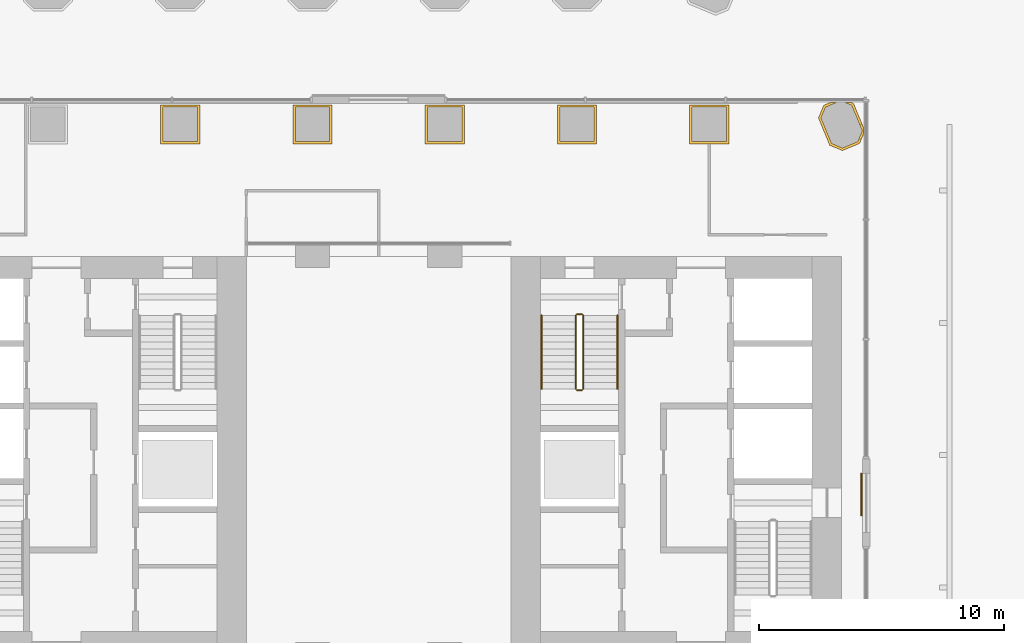
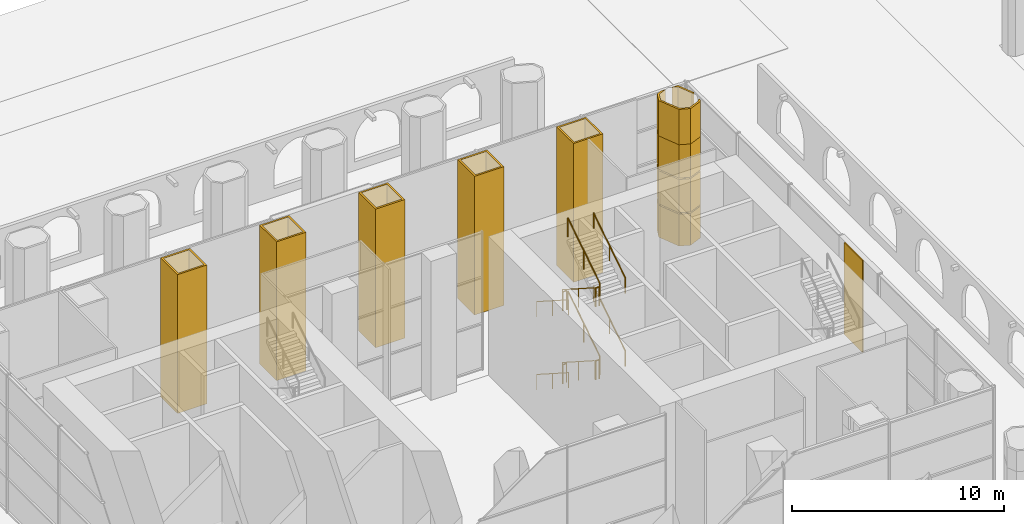
# One storey, part 44 of 54: 12 railings, 11 coverings.
"""IFC4 building model written with IfcOpenShell, lengths in metres."""

from ifc_helpers import new_model, si_unit, direction, frame, frame_2d, origin, origin_2d, place, context, subcontext, project, spatial, polyline, rectangle, circle, outline, extrude, material, layer, layer_set, type_object, element, save


model = new_model("IFC4")

# Units and contexts
model_context = context("Model", 3, precision=1e-05, world=origin(), true_north=direction((0.0, 1.0)))
body_context = subcontext(model_context, "Body", "Model", "MODEL_VIEW")
ifc_project = project(units=[si_unit("LENGTHUNIT", "METRE"), si_unit("AREAUNIT", "SQUARE_METRE"), si_unit("VOLUMEUNIT", "CUBIC_METRE"), si_unit("PLANEANGLEUNIT", "RADIAN"), si_unit("MASSUNIT", "GRAM", prefix="KILO")], contexts=[model_context])

# Site, building, storey
site_placement = place(None, origin())
site = spatial("IfcSite", under=ifc_project, at=site_placement, CompositionType="ELEMENT")
building_placement = place(site_placement, origin())
building = spatial("IfcBuilding", under=site, at=building_placement, Name="Tabaq Tower and Sports Hall", CompositionType="ELEMENT")
storey_placement = place(building_placement, origin())
storey = spatial("IfcBuildingStorey", under=building, at=storey_placement, Name="L00", CompositionType="ELEMENT", Elevation=0.0)

# Coverings
ifc_material_1 = material(Name="Precast concrete C60/75", Category="concrete")
ifc_layer_1 = layer(ifc_material_1, 0.10009765625)
ifc_layer_set_1 = layer_set([ifc_layer_1], Name="Column cladding 100")
covering_type_1 = type_object("IfcCoveringType", Name="Column cladding 100", PredefinedType="CLADDING", material=ifc_layer_set_1)
covering_1_placement = place(storey_placement, origin())
element("IfcCovering", 1, at=covering_1_placement, inside=storey, type_object=covering_type_1, Name="Column cladding L00 CC-4H-G", PredefinedType="CLADDING", context=body_context, shape_type="SweptSolid", body=[
    extrude(outline(polyline([(15.400390625, 38.599609375), (16.999755859375, 38.599609375), (16.999755859375, 37.000244140625), (15.400390625, 37.000244140625), (15.400390625, 38.599609375)]), holes=[polyline([(16.900390625, 37.099609375), (16.900390625, 38.500244140625), (15.499755859375, 38.500244140625), (15.499755859375, 37.099609375), (16.900390625, 37.099609375)])]), origin(), (0.0, 0.0, 1.0), 8.0),
])
covering_2_placement = place(storey_placement, origin())
element("IfcCovering", 2, at=covering_2_placement, inside=storey, type_object=covering_type_1, Name="Column cladding L00 CC-5H-G", PredefinedType="CLADDING", context=body_context, shape_type="SweptSolid", body=[
    extrude(outline(polyline([(20.80029296875, 38.599609375), (22.399658203125, 38.599609375), (22.399658203125, 37.000244140625), (20.80029296875, 37.000244140625), (20.80029296875, 38.599609375)]), holes=[polyline([(22.30029296875, 37.099609375), (22.30029296875, 38.500244140625), (20.899658203125, 38.500244140625), (20.899658203125, 37.099609375), (22.30029296875, 37.099609375)])]), origin(), (0.0, 0.0, 1.0), 8.0),
])
covering_3_placement = place(storey_placement, origin())
element("IfcCovering", 3, at=covering_3_placement, inside=storey, type_object=covering_type_1, Name="Column cladding L00 CC-6H-G", PredefinedType="CLADDING", context=body_context, shape_type="SweptSolid", body=[
    extrude(outline(polyline([(26.2001953125, 38.599609375), (27.7998046875, 38.599609375), (27.7998046875, 37.000244140625), (26.2001953125, 37.000244140625), (26.2001953125, 38.599609375)]), holes=[polyline([(27.7001953125, 37.099609375), (27.7001953125, 38.500244140625), (26.2998046875, 38.500244140625), (26.2998046875, 37.099609375), (27.7001953125, 37.099609375)])]), origin(), (0.0, 0.0, 1.0), 8.0),
])
covering_4_placement = place(storey_placement, origin())
element("IfcCovering", 4, at=covering_4_placement, inside=storey, type_object=covering_type_1, Name="Column cladding L00 CC-7H-G", PredefinedType="CLADDING", context=body_context, shape_type="SweptSolid", body=[
    extrude(outline(polyline([(31.600341796875, 38.599609375), (33.19970703125, 38.599609375), (33.19970703125, 37.000244140625), (31.600341796875, 37.000244140625), (31.600341796875, 38.599609375)]), holes=[polyline([(33.100341796875, 37.099609375), (33.100341796875, 38.500244140625), (31.69970703125, 38.500244140625), (31.69970703125, 37.099609375), (33.100341796875, 37.099609375)])]), origin(), (0.0, 0.0, 1.0), 8.0),
])
covering_5_placement = place(storey_placement, origin())
element("IfcCovering", 5, at=covering_5_placement, inside=storey, type_object=covering_type_1, Name="Column cladding L00 CC-8H-G", PredefinedType="CLADDING", context=body_context, shape_type="SweptSolid", body=[
    extrude(outline(polyline([(37.000244140625, 38.599609375), (38.599609375, 38.599609375), (38.599609375, 37.000244140625), (37.000244140625, 37.000244140625), (37.000244140625, 38.599609375)]), holes=[polyline([(38.500244140625, 37.099609375), (38.500244140625, 38.500244140625), (37.099609375, 38.500244140625), (37.099609375, 37.099609375), (38.500244140625, 37.099609375)])]), origin(), (0.0, 0.0, 1.0), 8.0),
])
covering_6_placement = place(storey_placement, frame((0.0, 0.0, 0.1201171875)))
element("IfcCovering", 6, at=covering_6_placement, inside=storey, type_object=covering_type_1, Name="Column cladding L00 PC-9H-G", PredefinedType="CLADDING", context=body_context, shape_type="SweptSolid", body=[
    extrude(outline(polyline([(43.232666015625, 36.7314453125), (42.71533203125, 36.94580078125), (42.253173828125, 38.061279296875), (42.467529296875, 38.57861328125), (42.735595703125, 38.689697265625), (42.995361328125, 38.689697265625), (42.54345703125, 38.502685546875), (42.36083984375, 38.061279296875), (42.79150390625, 37.021728515625), (43.232666015625, 36.839111328125), (43.8564453125, 37.097412109375), (44.039306640625, 37.53857421875), (43.608642578125, 38.578125), (43.339599609375, 38.689697265625), (43.59912109375, 38.689697265625), (43.6845703125, 38.654296875), (44.089599609375, 37.676513671875), (44.089599609375, 37.40087890625), (43.9326171875, 37.021240234375), (43.232666015625, 36.7314453125)])), origin(), (0.0, 0.0, 1.0), 1.83984375),
])
for number, where, name in (
    (7, (0.0, 0.0, 2.0400390625), "Column cladding L00 PC-9H-G 2"),
    (8, (0.0, 0.0, 4.0400390625), "Column cladding L00 PC-9H-G 3"),
):
    element("IfcCovering", number, at=place(storey_placement, frame(where)), inside=storey, type_object=covering_type_1, Name=name, PredefinedType="CLADDING", context=body_context, shape_type="SweptSolid", body=[
        extrude(outline(polyline([(43.232666015625, 36.7314453125), (42.71533203125, 36.94580078125), (42.253173828125, 38.061279296875), (42.467529296875, 38.57861328125), (42.735595703125, 38.689697265625), (42.995361328125, 38.689697265625), (42.54345703125, 38.502685546875), (42.36083984375, 38.061279296875), (42.79150390625, 37.021728515625), (43.232666015625, 36.839111328125), (43.8564453125, 37.097412109375), (44.039306640625, 37.53857421875), (43.608642578125, 38.578125), (43.339599609375, 38.689697265625), (43.59912109375, 38.689697265625), (43.6845703125, 38.654296875), (44.089599609375, 37.676513671875), (44.089599609375, 37.40087890625), (43.9326171875, 37.021240234375), (43.232666015625, 36.7314453125)])), origin(), (0.0, 0.0, 1.0), 1.919921875),
    ])
covering_7_placement = place(storey_placement, frame((0.0, 0.0, 5.9599609375)))
element("IfcCovering", 9, at=covering_7_placement, inside=storey, type_object=covering_type_1, Name="Column cladding L00 PC-9H-G head", PredefinedType="CLADDING", context=body_context, shape_type="SweptSolid", body=[
    extrude(outline(polyline([(42.71533203125, 36.94580078125), (42.253173828125, 38.061279296875), (42.467529296875, 38.57861328125), (42.735595703125, 38.689697265625), (42.995361328125, 38.689697265625), (42.54345703125, 38.502685546875), (42.36083984375, 38.061279296875), (42.79150390625, 37.021728515625), (43.232666015625, 36.839111328125), (43.8564453125, 37.097412109375), (43.89892578125, 37.19970703125), (44.00634765625, 37.19970703125), (43.9326171875, 37.021240234375), (43.232666015625, 36.7314453125), (42.71533203125, 36.94580078125)])), origin(), (0.0, 0.0, 1.0), 2.0400390625),
])
covering_8_placement = place(storey_placement, frame((0.0, 0.0, 5.9599609375)))
element("IfcCovering", 10, at=covering_8_placement, inside=storey, type_object=covering_type_1, Name="Column cladding L00 PC-9H-G head 2", PredefinedType="CLADDING", context=body_context, shape_type="SweptSolid", body=[
    extrude(outline(polyline([(43.608642578125, 38.578125), (43.339599609375, 38.689697265625), (43.59912109375, 38.689697265625), (43.6845703125, 38.654296875), (44.038330078125, 37.80029296875), (43.930908203125, 37.80029296875), (43.608642578125, 38.578125)])), origin(), (0.0, 0.0, 1.0), 2.0400390625),
])

# Railings
ifc_material_2 = material(Name="Stainless steel", Category="steel")
railing_type_1 = type_object("IfcRailingType", Name="Stair guard", PredefinedType="GUARDRAIL", material=ifc_material_2)
railing_1_placement = place(storey_placement, frame((32.35009765625, 30.0, 0.175048828125)))
element("IfcRailing", 11, at=railing_1_placement, inside=storey, type_object=railing_type_1, Name="L00 ST4 stair guard 1", PredefinedType="GUARDRAIL", context=body_context, shape_type="SweptSolid", body=[
    extrude(circle(Radius=0.02392578125, at=origin_2d()), frame((0.0, 0.0, 1.076171875), z_axis=(0.0, -0.841627708785, 0.540058144838), x_axis=(1.0, 0.0, 0.0)), (0.0, 0.0, 1.0), 3.564453125),
    extrude(circle(Radius=0.02099609375, at=origin_2d()), origin(), (0.0, 0.0, 1.0), 1.052001953125),
    extrude(circle(Radius=0.02099609375, at=origin_2d()), frame((0.0, -1.5, 0.96240234375)), (0.0, 0.0, 1.0), 1.052001953125),
    extrude(circle(Radius=0.02099609375, at=origin_2d()), frame((0.0, -3.0, 1.925048828125)), (0.0, 0.0, 1.0), 1.052001953125),
])
railing_2_placement = place(storey_placement, frame((32.39990234375, 26.949951171875, 2.10009765625)))
element("IfcRailing", 12, at=railing_2_placement, inside=storey, type_object=railing_type_1, Name="L00 ST4 stair guard 2", PredefinedType="GUARDRAIL", context=body_context, shape_type="SweptSolid", body=[
    extrude(circle(Radius=0.02392578125, at=origin_2d()), frame((0.0, 0.0, 1.076171875), z_axis=(1.0, 0.0, 0.0), x_axis=(0.0, 1.0, 0.0)), (0.0, 0.0, 1.0), 0.2001953125),
    extrude(circle(Radius=0.02099609375, at=origin_2d()), origin(), (0.0, 0.0, 1.0), 1.052001953125),
    extrude(circle(Radius=0.02099609375, at=origin_2d()), frame((0.2001953125, 0.0, 0.0)), (0.0, 0.0, 1.0), 1.052001953125),
])
railing_3_placement = place(storey_placement, frame((32.64990234375, 27.0, 2.27490234375)))
element("IfcRailing", 13, at=railing_3_placement, inside=storey, type_object=railing_type_1, Name="L00 ST4 stair guard 3", PredefinedType="GUARDRAIL", context=body_context, shape_type="SweptSolid", body=[
    extrude(circle(Radius=0.02392578125, at=origin_2d()), frame((0.0, 0.0, 1.076171875), z_axis=(0.0, 0.841627708785, 0.540058144838), x_axis=(-1.0, 0.0, 0.0)), (0.0, 0.0, 1.0), 3.564453125),
    extrude(circle(Radius=0.02099609375, at=origin_2d()), origin(), (0.0, 0.0, 1.0), 1.052001953125),
    extrude(circle(Radius=0.02099609375, at=origin_2d()), frame((0.0, 1.5, 0.96240234375)), (0.0, 0.0, 1.0), 1.052001953125),
    extrude(circle(Radius=0.02099609375, at=origin_2d()), frame((0.0, 3.0, 1.925048828125)), (0.0, 0.0, 1.0), 1.052001953125),
])
railing_4_placement = place(storey_placement, frame((32.39990234375, 30.050048828125, 4.199951171875)))
element("IfcRailing", 14, at=railing_4_placement, inside=storey, type_object=railing_type_1, Name="L00 ST4 stair guard 4", PredefinedType="GUARDRAIL", context=body_context, shape_type="SweptSolid", body=[
    extrude(circle(Radius=0.02392578125, at=origin_2d()), frame((0.0, 0.0, 1.076171875), z_axis=(1.0, 0.0, 0.0), x_axis=(0.0, 1.0, 0.0)), (0.0, 0.0, 1.0), 0.2001953125),
    extrude(circle(Radius=0.02099609375, at=origin_2d()), origin(), (0.0, 0.0, 1.0), 1.052001953125),
    extrude(circle(Radius=0.02099609375, at=origin_2d()), frame((0.2001953125, 0.0, 0.0)), (0.0, 0.0, 1.0), 1.052001953125),
])
railing_5_placement = place(storey_placement, frame((32.35009765625, 30.0, 4.375)))
element("IfcRailing", 15, at=railing_5_placement, inside=storey, type_object=railing_type_1, Name="L00 ST4 stair guard 5", PredefinedType="GUARDRAIL", context=body_context, shape_type="SweptSolid", body=[
    extrude(circle(Radius=0.02392578125, at=origin_2d()), frame((0.0, 0.0, 1.076171875), z_axis=(0.0, -0.841627708785, 0.540058144838), x_axis=(1.0, 0.0, 0.0)), (0.0, 0.0, 1.0), 3.564453125),
    extrude(circle(Radius=0.02099609375, at=origin_2d()), origin(), (0.0, 0.0, 1.0), 1.052001953125),
    extrude(circle(Radius=0.02099609375, at=origin_2d()), frame((0.0, -1.5, 0.96240234375)), (0.0, 0.0, 1.0), 1.052001953125),
    extrude(circle(Radius=0.02099609375, at=origin_2d()), frame((0.0, -3.0, 1.925048828125)), (0.0, 0.0, 1.0), 1.052001953125),
])
railing_6_placement = place(storey_placement, frame((32.39990234375, 26.949951171875, 6.300048828125)))
element("IfcRailing", 16, at=railing_6_placement, inside=storey, type_object=railing_type_1, Name="L00 ST4 stair guard 6", PredefinedType="GUARDRAIL", context=body_context, shape_type="SweptSolid", body=[
    extrude(circle(Radius=0.02392578125, at=origin_2d()), frame((0.0, 0.0, 1.076171875), z_axis=(1.0, 0.0, 0.0), x_axis=(0.0, 1.0, 0.0)), (0.0, 0.0, 1.0), 0.2001953125),
    extrude(circle(Radius=0.02099609375, at=origin_2d()), origin(), (0.0, 0.0, 1.0), 1.052001953125),
    extrude(circle(Radius=0.02099609375, at=origin_2d()), frame((0.2001953125, 0.0, 0.0)), (0.0, 0.0, 1.0), 1.052001953125),
])
railing_7_placement = place(storey_placement, frame((32.64990234375, 27.0, 6.47509765625)))
element("IfcRailing", 17, at=railing_7_placement, inside=storey, type_object=railing_type_1, Name="L00 ST4 stair guard 7", PredefinedType="GUARDRAIL", context=body_context, shape_type="SweptSolid", body=[
    extrude(circle(Radius=0.02392578125, at=origin_2d()), frame((0.0, 0.0, 1.076171875), z_axis=(0.0, 0.841658839989, 0.540009626829), x_axis=(-1.0, 0.0, 0.0)), (0.0, 0.0, 1.0), 3.564453125),
    extrude(circle(Radius=0.02099609375, at=origin_2d()), origin(), (0.0, 0.0, 1.0), 1.052001953125),
    extrude(circle(Radius=0.02099609375, at=origin_2d()), frame((0.0, 1.5, 0.96240234375)), (0.0, 0.0, 1.0), 1.052001953125),
    extrude(circle(Radius=0.02099609375, at=origin_2d()), frame((0.0, 3.0, 1.9248046875)), (0.0, 0.0, 1.0), 1.052001953125),
])
railing_8_placement = place(storey_placement, frame((32.39990234375, 30.050048828125, 0.0)))
element("IfcRailing", 18, at=railing_8_placement, inside=storey, type_object=railing_type_1, Name="L00 ST4 stair guard 8", PredefinedType="GUARDRAIL", context=body_context, shape_type="SweptSolid", body=[
    extrude(circle(Radius=0.02392578125, at=origin_2d()), frame((0.0, 0.0, 1.076171875), z_axis=(1.0, 0.0, 0.0), x_axis=(0.0, 1.0, 0.0)), (0.0, 0.0, 1.0), 0.2001953125),
    extrude(circle(Radius=0.02099609375, at=origin_2d()), origin(), (0.0, 0.0, 1.0), 1.052001953125),
    extrude(circle(Radius=0.02099609375, at=origin_2d()), frame((0.2001953125, 0.0, 0.0)), (0.0, 0.0, 1.0), 1.052001953125),
])
ifc_material_3 = material(Name="Stainless steel", Category="steel")
railing_type_2 = type_object("IfcRailingType", Name="Stair handrail", PredefinedType="HANDRAIL", material=ifc_material_3)
railing_9_placement = place(storey_placement, frame((30.949951171875, 30.0, 0.175048828125)))
element("IfcRailing", 19, at=railing_9_placement, inside=storey, type_object=railing_type_2, Name="L00 ST4 stair handrail 1", PredefinedType="HANDRAIL", context=body_context, shape_type="SweptSolid", body=[
    extrude(circle(Radius=0.02392578125, at=origin_2d()), frame((0.0, 0.0, 0.8759765625), z_axis=(0.0, -0.841627708785, 0.540058144838), x_axis=(1.0, 0.0, 0.0)), (0.0, 0.0, 1.0), 3.564453125),
    extrude(circle(Radius=0.02099609375, at=origin_2d()), origin(), (0.0, 0.0, 1.0), 0.851806640625),
    extrude(circle(Radius=0.02099609375, at=origin_2d()), frame((0.0, -1.5, 0.96240234375)), (0.0, 0.0, 1.0), 0.851806640625),
    extrude(circle(Radius=0.02099609375, at=origin_2d()), frame((0.0, -3.0, 1.925048828125)), (0.0, 0.0, 1.0), 0.851806640625),
])
railing_10_placement = place(storey_placement, frame((34.050048828125, 27.0, 2.27490234375)))
element("IfcRailing", 20, at=railing_10_placement, inside=storey, type_object=railing_type_2, Name="L00 ST4 stair handrail 2", PredefinedType="HANDRAIL", context=body_context, shape_type="SweptSolid", body=[
    extrude(circle(Radius=0.02392578125, at=origin_2d()), frame((0.0, 0.0, 0.8759765625), z_axis=(0.0, 0.841627708785, 0.540058144838), x_axis=(-1.0, 0.0, 0.0)), (0.0, 0.0, 1.0), 3.564453125),
    extrude(circle(Radius=0.02099609375, at=origin_2d()), origin(), (0.0, 0.0, 1.0), 0.851806640625),
    extrude(circle(Radius=0.02099609375, at=origin_2d()), frame((0.0, 1.5, 0.96240234375)), (0.0, 0.0, 1.0), 0.851806640625),
    extrude(circle(Radius=0.02099609375, at=origin_2d()), frame((0.0, 3.0, 1.925048828125)), (0.0, 0.0, 1.0), 0.851806640625),
])
railing_11_placement = place(storey_placement, frame((30.949951171875, 30.0, 4.375)))
element("IfcRailing", 21, at=railing_11_placement, inside=storey, type_object=railing_type_2, Name="L00 ST4 stair handrail 3", PredefinedType="HANDRAIL", context=body_context, shape_type="SweptSolid", body=[
    extrude(circle(Radius=0.02392578125, at=origin_2d()), frame((0.0, 0.0, 0.8759765625), z_axis=(0.0, -0.841627708785, 0.540058144838), x_axis=(1.0, 0.0, 0.0)), (0.0, 0.0, 1.0), 3.564453125),
    extrude(circle(Radius=0.02099609375, at=origin_2d()), origin(), (0.0, 0.0, 1.0), 0.851806640625),
    extrude(circle(Radius=0.02099609375, at=origin_2d()), frame((0.0, -1.5, 0.96240234375)), (0.0, 0.0, 1.0), 0.851806640625),
    extrude(circle(Radius=0.02099609375, at=origin_2d()), frame((0.0, -3.0, 1.925048828125)), (0.0, 0.0, 1.0), 0.851806640625),
])
railing_12_placement = place(storey_placement, frame((34.050048828125, 27.0, 6.47509765625)))
element("IfcRailing", 22, at=railing_12_placement, inside=storey, type_object=railing_type_2, Name="L00 ST4 stair handrail 4", PredefinedType="HANDRAIL", context=body_context, shape_type="SweptSolid", body=[
    extrude(circle(Radius=0.02392578125, at=origin_2d()), frame((0.0, 0.0, 0.8759765625), z_axis=(0.0, 0.841658839989, 0.540009626829), x_axis=(-1.0, 0.0, 0.0)), (0.0, 0.0, 1.0), 3.564453125),
    extrude(circle(Radius=0.02099609375, at=origin_2d()), origin(), (0.0, 0.0, 1.0), 0.851806640625),
    extrude(circle(Radius=0.02099609375, at=origin_2d()), frame((0.0, 1.5, 0.96240234375)), (0.0, 0.0, 1.0), 0.851806640625),
    extrude(circle(Radius=0.02099609375, at=origin_2d()), frame((0.0, 3.0, 1.9248046875)), (0.0, 0.0, 1.0), 0.851806640625),
])

# Covering
ifc_material_4 = material(Name="Precast concrete C60/75", Category="concrete")
ifc_layer_2 = layer(ifc_material_4, 0.06005859375)
ifc_layer_set_2 = layer_set([ifc_layer_2], Name="White precast cladding panel 60 C60/75")
covering_type_2 = type_object("IfcCoveringType", Name="White precast cladding panel 60 C60/75", PredefinedType="CLADDING", material=ifc_layer_set_2)
covering_9_placement = place(storey_placement, frame((44.02001953125, 23.56005859375, 2.7099609375), z_axis=(0.0, 0.0, 1.0), x_axis=(0.0, -1.0, 0.0)))
element("IfcCovering", 23, at=covering_9_placement, inside=storey, type_object=covering_type_2, Name="White precast cladding panel L00 ringE1", PredefinedType="CLADDING", context=body_context, shape_type="SweptSolid", body=[
    extrude(rectangle(XDim=1.72509765625, YDim=0.06005859375, at=frame_2d((0.862548828125, 0.0))), origin(), (0.0, 0.0, 1.0), 5.2900390625),
])

save(model, "model.ifc")
